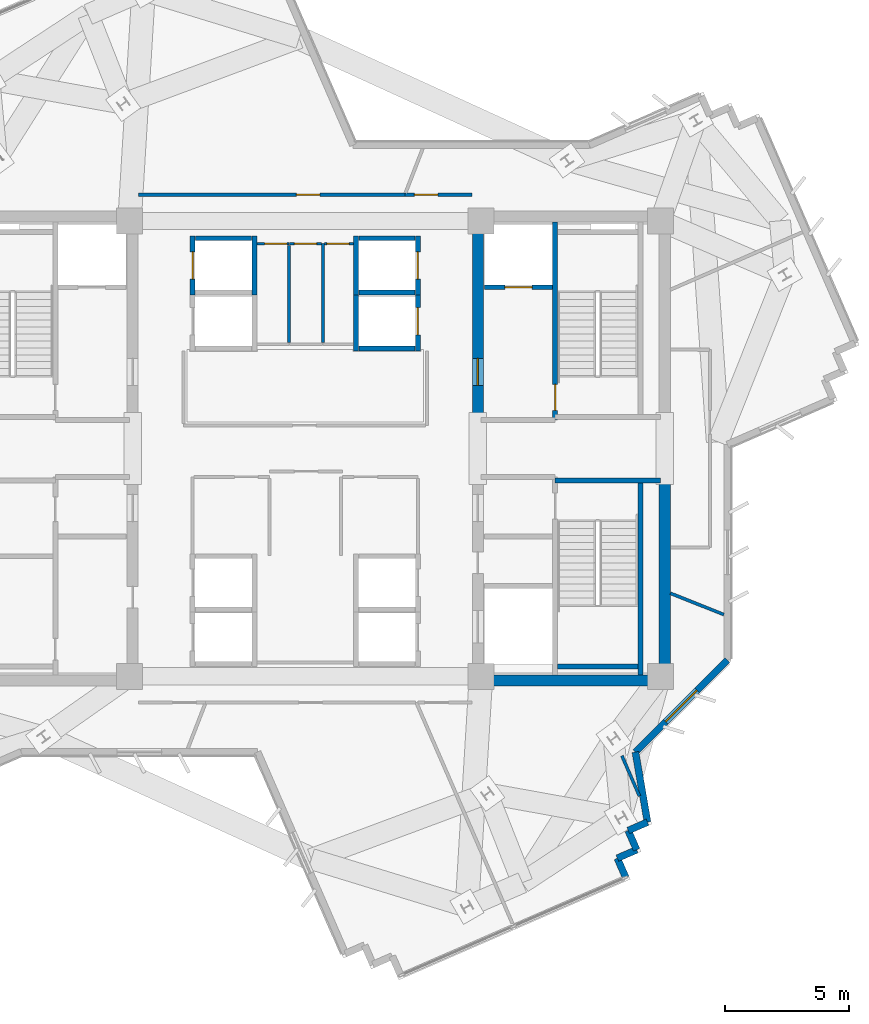
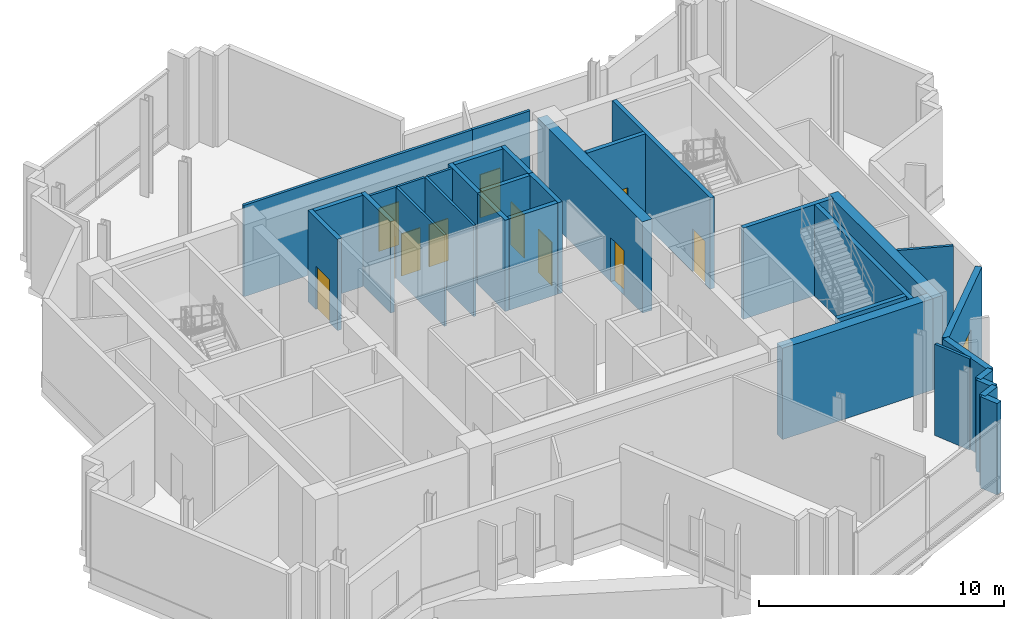
# One storey, part 7 of 11: 33 walls, 11 doors, 1 window, 12 openings.
"""IFC4 building model written with IfcOpenShell, lengths in metres."""

from ifc_helpers import new_model, si_unit, direction, frame, frame_2d, origin, place, context, subcontext, project, spatial, rectangle, extrude, source, transform, mapped, material, layer, layer_set, type_object, element, fill, save


model = new_model("IFC4")

# Units and contexts
model_context = context("Model", 3, precision=1e-05, world=origin(), true_north=direction((0.0, 1.0)))
body_context = subcontext(model_context, "Body", "Model", "MODEL_VIEW")
ifc_project = project(units=[si_unit("LENGTHUNIT", "METRE"), si_unit("AREAUNIT", "SQUARE_METRE"), si_unit("VOLUMEUNIT", "CUBIC_METRE"), si_unit("PLANEANGLEUNIT", "RADIAN"), si_unit("MASSUNIT", "GRAM", prefix="KILO")], contexts=[model_context])

# Site, building, storey
site_placement = place(None, origin())
site = spatial("IfcSite", under=ifc_project, at=site_placement, CompositionType="ELEMENT")
building_placement = place(site_placement, origin())
building = spatial("IfcBuilding", under=site, at=building_placement, Name="Zahravan Cultural Tower", CompositionType="ELEMENT")
storey_placement = place(building_placement, frame((0.0, 0.0, 234.300048828125)))
storey = spatial("IfcBuildingStorey", under=building, at=storey_placement, Name="L55", CompositionType="ELEMENT", Elevation=234.300048828125)

# Wall, opening, door
ifc_material_1 = material(Name="Concrete C50/60", Category="concrete")
ifc_layer_1 = layer(ifc_material_1, 0.449951171875)
ifc_layer_set_1 = layer_set([ifc_layer_1], Name="Concrete C50/60")
wall_type_1 = type_object("IfcWallType", Name="CW-SHEAR-450-C50", PredefinedType="SHEAR", material=ifc_layer_set_1)
wall_1_placement = place(storey_placement, frame((42.97509765625, 28.050048828125, 0.0), z_axis=(0.0, 0.0, 1.0), x_axis=(0.0, 1.0, 0.0)))
wall_1 = element("IfcWall", 1, at=wall_1_placement, inside=storey, type_object=wall_type_1, Name="L55 Core Shear Wall CW-E-WN-L55", PredefinedType="SHEAR", context=body_context, shape_type="SweptSolid", body=[
    extrude(rectangle(XDim=8.550048828125, YDim=0.449951171875, at=frame_2d((4.27490234375, 0.0))), origin(), (0.0, 0.0, 1.0), 4.550048828125),
])
opening_1_placement = place(wall_1_placement, frame((1.5, 0.0, 0.0)))
opening_1 = element("IfcOpeningElement", 2, at=opening_1_placement, cuts=wall_1, Name="Opening D-L55-07", PredefinedType="OPENING", context=body_context, shape_type="SweptSolid", body=[
    extrude(rectangle(XDim=1.10009765625, YDim=2.199951171875, at=frame_2d((0.550048828125, 1.10009765625))), frame((0.0, 0.23486328125, 0.0), z_axis=(0.0, -1.0, 0.0), x_axis=(1.0, 0.0, 0.0)), (0.0, 0.0, 1.0), 0.469970703125),
])
ifc_material_2 = material(Name="Steel ASTM A572 Grade 50", Category="steel")
door_type_1 = type_object("IfcDoorType", Name="DR-LOBBY-1100", OperationType="NOTDEFINED", PredefinedType="DOOR", material=ifc_material_2)
shared_shape_1 = source(origin(), body_context, "Body", "SweptSolid", [
    extrude(rectangle(XDim=1.10009765625, YDim=2.199951171875, at=frame_2d((0.550048828125, 1.10009765625))), frame((0.0, 0.02490234375, 0.0), z_axis=(0.0, -1.0, 0.0), x_axis=(1.0, 0.0, 0.0)), (0.0, 0.0, 1.0), 0.050048828125),
])
door_1_placement = place(opening_1_placement, origin())
door_1 = element("IfcDoor", 3, at=door_1_placement, inside=storey, type_object=door_type_1, Name="L55 Door D-L55-07", OperationType="SINGLE_SWING_LEFT", OverallHeight=2.199951171875, OverallWidth=1.10009765625, PredefinedType="DOOR", context=body_context, shape_type="MappedRepresentation", body=[
    mapped(shared_shape_1, transform((0.0, 0.0, 0.0), x_axis=(1.0, 0.0, 0.0), y_axis=(0.0, 1.0, 0.0), z_axis=(0.0, 0.0, 1.0), scale=1.0)),
])
fill(opening_1, door_1)

# Wall, opening, window
ifc_material_3 = material(Name="Precast concrete C40/50", Category="concrete")
ifc_layer_2 = layer(ifc_material_3, 0.280029296875)
ifc_layer_set_2 = layer_set([ifc_layer_2], Name="Precast concrete C40/50")
wall_type_2 = type_object("IfcWallType", Name="EW-TC-280", PredefinedType="SOLIDWALL", material=ifc_layer_set_2)
wall_2_placement = place(storey_placement, frame((53.06005859375, 18.4580078125, 0.0), z_axis=(0.0, 0.0, 1.0), x_axis=(-0.707106781187, -0.707106781187, 0.0)))
wall_2 = element("IfcWall", 4, at=wall_2_placement, inside=storey, type_object=wall_type_2, Name="L55 Exterior Masonry Frame Wall 13", PredefinedType="SOLIDWALL", context=body_context, shape_type="SweptSolid", body=[
    extrude(rectangle(XDim=5.258056640625, YDim=0.280029296875, at=frame_2d((2.62890625, 0.0))), origin(), (0.0, 0.0, 1.0), 4.550048828125),
])
opening_2_placement = place(wall_2_placement, frame((1.72900390625, 0.0, 0.85009765625)))
opening_2 = element("IfcOpeningElement", 5, at=opening_2_placement, cuts=wall_2, Name="Opening WN-02", PredefinedType="OPENING", context=body_context, shape_type="SweptSolid", body=[
    extrude(rectangle(XDim=1.800048828125, YDim=1.75, at=frame_2d((0.89990234375, 0.875))), frame((0.0, 0.14990234375, 0.0), z_axis=(0.0, -1.0, 0.0), x_axis=(1.0, 0.0, 0.0)), (0.0, 0.0, 1.0), 0.300048828125),
])
ifc_material_4 = material(Name="Low-E solar-control double glazing", Category="glass")
window_type = type_object("IfcWindowType", Name="WN-REC-1800X1750", PartitioningType="DOUBLE_PANEL_VERTICAL", PredefinedType="WINDOW", material=ifc_material_4)
shared_shape_2 = source(origin(), body_context, "Body", "SweptSolid", [
    extrude(rectangle(XDim=1.800048828125, YDim=1.75, at=frame_2d((0.89990234375, 0.875))), frame((0.0, 0.030029296875, 0.0), z_axis=(0.0, -1.0, 0.0), x_axis=(1.0, 0.0, 0.0)), (0.0, 0.0, 1.0), 0.06005859375),
])
window_placement = place(opening_2_placement, origin())
window = element("IfcWindow", 6, at=window_placement, inside=storey, type_object=window_type, Name="L55 Recessed Solar Window 04", OverallHeight=1.75, OverallWidth=1.800048828125, PartitioningType="DOUBLE_PANEL_VERTICAL", PredefinedType="WINDOW", context=body_context, shape_type="MappedRepresentation", body=[
    mapped(shared_shape_2, transform((0.0, 0.0, 0.0), x_axis=(1.0, 0.0, 0.0), y_axis=(0.0, 1.0, 0.0), z_axis=(0.0, 0.0, 1.0), scale=1.0)),
])
fill(opening_2, window)

# Wall, opening, door
ifc_material_5 = material(Name="Gypsum plasterboard partition")
ifc_layer_3 = layer(ifc_material_5, 0.125)
ifc_layer_set_3 = layer_set([ifc_layer_3], Name="Gypsum plasterboard partition")
wall_type_3 = type_object("IfcWallType", Name="W-PART-125", PredefinedType="PARTITIONING", material=ifc_layer_set_3)
wall_3_placement = place(storey_placement, frame((42.74658203125, 37.2587890625, 0.0), z_axis=(0.0, 0.0, 1.0), x_axis=(-0.999999899509, 0.000448309827, 0.0)))
wall_3 = element("IfcWall", 7, at=wall_3_placement, inside=storey, type_object=wall_type_3, Name="L55 Interior Wall 084", PredefinedType="PARTITIONING", context=body_context, shape_type="SweptSolid", body=[
    extrude(rectangle(XDim=2.722900390625, YDim=0.125, at=frame_2d((1.361328125, 0.0))), origin(), (0.0, 0.0, 1.0), 4.550048828125),
])
opening_3_placement = place(wall_3_placement, frame((1.383056640625, 0.0, 0.0)))
opening_3 = element("IfcOpeningElement", 8, at=opening_3_placement, cuts=wall_3, Name="Opening D-L55-20", PredefinedType="OPENING", context=body_context, shape_type="SweptSolid", body=[
    extrude(rectangle(XDim=0.949951171875, YDim=2.14990234375, at=frame_2d((0.47509765625, 1.074951171875))), frame((0.0, 0.072509765625, 0.0), z_axis=(0.0, -1.0, 0.0), x_axis=(1.0, 0.0, 0.0)), (0.0, 0.0, 1.0), 0.14501953125),
])
ifc_material_6 = material(Name="Anodised bronze-aluminium mullion", Category="aluminium")
door_type_2 = type_object("IfcDoorType", Name="DR-ROOM-950", OperationType="NOTDEFINED", PredefinedType="DOOR", material=ifc_material_6)
shared_shape_3 = source(origin(), body_context, "Body", "SweptSolid", [
    extrude(rectangle(XDim=0.949951171875, YDim=2.14990234375, at=frame_2d((0.47509765625, 1.074951171875))), frame((0.0, 0.02490234375, 0.0), z_axis=(0.0, -1.0, 0.0), x_axis=(1.0, 0.0, 0.0)), (0.0, 0.0, 1.0), 0.050048828125),
])
door_2_placement = place(opening_3_placement, origin())
door_2 = element("IfcDoor", 9, at=door_2_placement, inside=storey, type_object=door_type_2, Name="L55 Door D-L55-20", OperationType="SINGLE_SWING_RIGHT", OverallHeight=2.14990234375, OverallWidth=0.949951171875, PredefinedType="DOOR", context=body_context, shape_type="MappedRepresentation", body=[
    mapped(shared_shape_3, transform((0.0, 0.0, 0.0), x_axis=(1.0, 0.0, 0.0), y_axis=(0.0, 1.0, 0.0), z_axis=(0.0, 0.0, 1.0), scale=1.0)),
])
fill(opening_3, door_2)

wall_4_placement = place(storey_placement, frame((40.023681640625, 37.260009765625, 0.0), z_axis=(0.0, 0.0, 1.0), x_axis=(-0.999999998972, -4.5337081e-05, 0.0)))
wall_4 = element("IfcWall", 10, at=wall_4_placement, inside=storey, type_object=wall_type_3, Name="L55 Interior Wall 093", PredefinedType="PARTITIONING", context=body_context, shape_type="SweptSolid", body=[
    extrude(rectangle(XDim=10.77001953125, YDim=0.125, at=frame_2d((5.385009765625, 0.0))), origin(), (0.0, 0.0, 1.0), 4.550048828125),
])
opening_4_placement = place(wall_4_placement, frame((3.43701171875, 0.0, 0.0)))
opening_4 = element("IfcOpeningElement", 11, at=opening_4_placement, cuts=wall_4, Name="Opening D-L55-23", PredefinedType="OPENING", context=body_context, shape_type="SweptSolid", body=[
    extrude(rectangle(XDim=0.949951171875, YDim=2.14990234375, at=frame_2d((0.47509765625, 1.074951171875))), frame((0.0, 0.072509765625, 0.0), z_axis=(0.0, -1.0, 0.0), x_axis=(1.0, 0.0, 0.0)), (0.0, 0.0, 1.0), 0.14501953125),
])
door_3_placement = place(opening_4_placement, origin())
door_3 = element("IfcDoor", 12, at=door_3_placement, inside=storey, type_object=door_type_2, Name="L55 Door D-L55-23", OperationType="SINGLE_SWING_LEFT", OverallHeight=2.14990234375, OverallWidth=0.949951171875, PredefinedType="DOOR", context=body_context, shape_type="MappedRepresentation", body=[
    mapped(shared_shape_3, transform((0.0, 0.0, 0.0), x_axis=(1.0, 0.0, 0.0), y_axis=(0.0, 1.0, 0.0), z_axis=(0.0, 0.0, 1.0), scale=1.0)),
])
fill(opening_4, door_3)

ifc_material_7 = material(Name="Concrete C45/55", Category="concrete")
ifc_layer_4 = layer(ifc_material_7, 0.199951171875)
ifc_layer_set_4 = layer_set([ifc_layer_4], Name="Concrete C45/55")
wall_type_4 = type_object("IfcWallType", Name="W-SHAFT-200", PredefinedType="SOLIDWALL", material=ifc_layer_set_4)
wall_5_placement = place(storey_placement, frame((46.10009765625, 28.14990234375, 0.0), z_axis=(0.0, 0.0, 1.0), x_axis=(0.0, 1.0, 0.0)))
wall_5 = element("IfcWall", 13, at=wall_5_placement, inside=storey, type_object=wall_type_4, Name="L55 Interior Wall 008", PredefinedType="SOLIDWALL", context=body_context, shape_type="SweptSolid", body=[
    extrude(rectangle(XDim=8.0, YDim=0.199951171875, at=frame_2d((4.0, 0.0))), origin(), (0.0, 0.0, 1.0), 4.550048828125),
])
opening_5_placement = place(wall_5_placement, frame((0.39990234375, 0.0, 0.0)))
opening_5 = element("IfcOpeningElement", 14, at=opening_5_placement, cuts=wall_5, Name="Opening D-L55-02", PredefinedType="OPENING", context=body_context, shape_type="SweptSolid", body=[
    extrude(rectangle(XDim=1.050048828125, YDim=2.14990234375, at=frame_2d((0.52490234375, 1.074951171875))), frame((0.0, 0.10986328125, 0.0), z_axis=(0.0, -1.0, 0.0), x_axis=(1.0, 0.0, 0.0)), (0.0, 0.0, 1.0), 0.219970703125),
])
door_type_3 = type_object("IfcDoorType", Name="DR-STAIR-1050", OperationType="NOTDEFINED", PredefinedType="DOOR", material=ifc_material_2)
shared_shape_4 = source(origin(), body_context, "Body", "SweptSolid", [
    extrude(rectangle(XDim=1.050048828125, YDim=2.14990234375, at=frame_2d((0.52490234375, 1.074951171875))), frame((0.0, 0.02490234375, 0.0), z_axis=(0.0, -1.0, 0.0), x_axis=(1.0, 0.0, 0.0)), (0.0, 0.0, 1.0), 0.050048828125),
])
door_4_placement = place(opening_5_placement, origin())
door_4 = element("IfcDoor", 15, at=door_4_placement, inside=storey, type_object=door_type_3, Name="L55 Door D-L55-02", OperationType="SINGLE_SWING_RIGHT", OverallHeight=2.14990234375, OverallWidth=1.050048828125, PredefinedType="DOOR", context=body_context, shape_type="MappedRepresentation", body=[
    mapped(shared_shape_4, transform((0.0, 0.0, 0.0), x_axis=(1.0, 0.0, 0.0), y_axis=(0.0, 1.0, 0.0), z_axis=(0.0, 0.0, 1.0), scale=1.0)),
])
fill(opening_5, door_4)

wall_6_placement = place(storey_placement, frame((43.25, 33.52001953125, 0.0), z_axis=(0.0, 0.0, 1.0), x_axis=(1.0, 0.0, 0.0)))
wall_6 = element("IfcWall", 16, at=wall_6_placement, inside=storey, type_object=wall_type_4, Name="L55 Interior Wall 023", PredefinedType="SOLIDWALL", context=body_context, shape_type="SweptSolid", body=[
    extrude(rectangle(XDim=2.75, YDim=0.199951171875, at=frame_2d((1.375, 0.0))), origin(), (0.0, 0.0, 1.0), 4.550048828125),
])
opening_6_placement = place(wall_6_placement, frame((0.820068359375, 0.0, 0.0)))
opening_6 = element("IfcOpeningElement", 17, at=opening_6_placement, cuts=wall_6, Name="Opening LD-L55-02", PredefinedType="OPENING", context=body_context, shape_type="SweptSolid", body=[
    extrude(rectangle(XDim=1.10009765625, YDim=2.14990234375, at=frame_2d((0.550048828125, 1.074951171875))), frame((0.0, 0.10986328125, 0.0), z_axis=(0.0, -1.0, 0.0), x_axis=(1.0, 0.0, 0.0)), (0.0, 0.0, 1.0), 0.219970703125),
])
door_type_4 = type_object("IfcDoorType", Name="DR-LIFT-1100", OperationType="DOUBLE_DOOR_SLIDING", PredefinedType="DOOR", material=ifc_material_2)
shared_shape_5 = source(origin(), body_context, "Body", "SweptSolid", [
    extrude(rectangle(XDim=1.10009765625, YDim=2.14990234375, at=frame_2d((0.550048828125, 1.074951171875))), frame((0.0, 0.02490234375, 0.0), z_axis=(0.0, -1.0, 0.0), x_axis=(1.0, 0.0, 0.0)), (0.0, 0.0, 1.0), 0.050048828125),
])
door_5_placement = place(opening_6_placement, origin())
door_5 = element("IfcDoor", 18, at=door_5_placement, inside=storey, type_object=door_type_4, Name="L55 Door LD-L55-02", OperationType="DOUBLE_DOOR_SLIDING", OverallHeight=2.14990234375, OverallWidth=1.10009765625, PredefinedType="DOOR", context=body_context, shape_type="MappedRepresentation", body=[
    mapped(shared_shape_5, transform((0.0, 0.0, 0.0), x_axis=(1.0, 0.0, 0.0), y_axis=(0.0, 1.0, 0.0), z_axis=(0.0, 0.0, 1.0), scale=1.0)),
])
fill(opening_6, door_5)

wall_7_placement = place(storey_placement, frame((31.449951171875, 33.199951171875, 0.0), z_axis=(0.0, 0.0, 1.0), x_axis=(0.0, 1.0, 0.0)))
wall_7 = element("IfcWall", 19, at=wall_7_placement, inside=storey, type_object=wall_type_4, Name="L55 Interior Wall 027", PredefinedType="SOLIDWALL", context=body_context, shape_type="SweptSolid", body=[
    extrude(rectangle(XDim=2.400146484375, YDim=0.199951171875, at=frame_2d((1.2001953125, 0.0))), origin(), (0.0, 0.0, 1.0), 4.550048828125),
])
opening_7_placement = place(wall_7_placement, frame((0.64990234375, 0.0, 0.0)))
opening_7 = element("IfcOpeningElement", 20, at=opening_7_placement, cuts=wall_7, Name="Opening LD-L55-04", PredefinedType="OPENING", context=body_context, shape_type="SweptSolid", body=[
    extrude(rectangle(XDim=1.10009765625, YDim=2.14990234375, at=frame_2d((0.550048828125, 1.074951171875))), frame((0.0, 0.10986328125, 0.0), z_axis=(0.0, -1.0, 0.0), x_axis=(1.0, 0.0, 0.0)), (0.0, 0.0, 1.0), 0.219970703125),
])
door_6_placement = place(opening_7_placement, origin())
door_6 = element("IfcDoor", 21, at=door_6_placement, inside=storey, type_object=door_type_4, Name="L55 Door LD-L55-04", OperationType="DOUBLE_DOOR_SLIDING", OverallHeight=2.14990234375, OverallWidth=1.10009765625, PredefinedType="DOOR", context=body_context, shape_type="MappedRepresentation", body=[
    mapped(shared_shape_5, transform((0.0, 0.0, 0.0), x_axis=(1.0, 0.0, 0.0), y_axis=(0.0, 1.0, 0.0), z_axis=(0.0, 0.0, 1.0), scale=1.0)),
])
fill(opening_7, door_6)

wall_8_placement = place(storey_placement, frame((40.550048828125, 33.199951171875, 0.0), z_axis=(0.0, 0.0, 1.0), x_axis=(0.0, 1.0, 0.0)))
wall_8 = element("IfcWall", 22, at=wall_8_placement, inside=storey, type_object=wall_type_4, Name="L55 Interior Wall 035", PredefinedType="SOLIDWALL", context=body_context, shape_type="SweptSolid", body=[
    extrude(rectangle(XDim=2.400146484375, YDim=0.199951171875, at=frame_2d((1.2001953125, 0.0))), origin(), (0.0, 0.0, 1.0), 4.550048828125),
])
opening_8_placement = place(wall_8_placement, frame((0.64990234375, 0.0, 0.0)))
opening_8 = element("IfcOpeningElement", 23, at=opening_8_placement, cuts=wall_8, Name="Opening LD-L55-06", PredefinedType="OPENING", context=body_context, shape_type="SweptSolid", body=[
    extrude(rectangle(XDim=1.10009765625, YDim=2.14990234375, at=frame_2d((0.550048828125, 1.074951171875))), frame((0.0, 0.10986328125, 0.0), z_axis=(0.0, -1.0, 0.0), x_axis=(1.0, 0.0, 0.0)), (0.0, 0.0, 1.0), 0.219970703125),
])
door_7_placement = place(opening_8_placement, origin())
door_7 = element("IfcDoor", 24, at=door_7_placement, inside=storey, type_object=door_type_4, Name="L55 Door LD-L55-06", OperationType="DOUBLE_DOOR_SLIDING", OverallHeight=2.14990234375, OverallWidth=1.10009765625, PredefinedType="DOOR", context=body_context, shape_type="MappedRepresentation", body=[
    mapped(shared_shape_5, transform((0.0, 0.0, 0.0), x_axis=(1.0, 0.0, 0.0), y_axis=(0.0, 1.0, 0.0), z_axis=(0.0, 0.0, 1.0), scale=1.0)),
])
fill(opening_8, door_7)

wall_9_placement = place(storey_placement, frame((40.550048828125, 30.949951171875, 0.0), z_axis=(0.0, 0.0, 1.0), x_axis=(0.0, 1.0, 0.0)))
wall_9 = element("IfcWall", 25, at=wall_9_placement, inside=storey, type_object=wall_type_4, Name="L55 Interior Wall 039", PredefinedType="SOLIDWALL", context=body_context, shape_type="SweptSolid", body=[
    extrude(rectangle(XDim=2.400146484375, YDim=0.199951171875, at=frame_2d((1.2001953125, 0.0))), origin(), (0.0, 0.0, 1.0), 4.550048828125),
])
opening_9_placement = place(wall_9_placement, frame((0.64990234375, 0.0, 0.0)))
opening_9 = element("IfcOpeningElement", 26, at=opening_9_placement, cuts=wall_9, Name="Opening LD-L55-07", PredefinedType="OPENING", context=body_context, shape_type="SweptSolid", body=[
    extrude(rectangle(XDim=1.10009765625, YDim=2.14990234375, at=frame_2d((0.550048828125, 1.074951171875))), frame((0.0, 0.10986328125, 0.0), z_axis=(0.0, -1.0, 0.0), x_axis=(1.0, 0.0, 0.0)), (0.0, 0.0, 1.0), 0.219970703125),
])
door_8_placement = place(opening_9_placement, origin())
door_8 = element("IfcDoor", 27, at=door_8_placement, inside=storey, type_object=door_type_4, Name="L55 Door LD-L55-07", OperationType="DOUBLE_DOOR_SLIDING", OverallHeight=2.14990234375, OverallWidth=1.10009765625, PredefinedType="DOOR", context=body_context, shape_type="MappedRepresentation", body=[
    mapped(shared_shape_5, transform((0.0, 0.0, 0.0), x_axis=(1.0, 0.0, 0.0), y_axis=(0.0, 1.0, 0.0), z_axis=(0.0, 0.0, 1.0), scale=1.0)),
])
fill(opening_9, door_8)

ifc_layer_5 = layer(ifc_material_5, 0.114990234375)
ifc_layer_set_5 = layer_set([ifc_layer_5], Name="Gypsum plasterboard partition")
wall_type_5 = type_object("IfcWallType", Name="W-WC-115", PredefinedType="PARTITIONING", material=ifc_layer_set_5)
wall_10_placement = place(storey_placement, frame((36.782470703125, 35.280029296875, 0.0), z_axis=(0.0, 0.0, 1.0), x_axis=(1.0, 0.0, 0.0)))
wall_10 = element("IfcWall", 28, at=wall_10_placement, inside=storey, type_object=wall_type_5, Name="L55 Interior Wall 057", PredefinedType="PARTITIONING", context=body_context, shape_type="SweptSolid", body=[
    extrude(rectangle(XDim=1.16259765625, YDim=0.114990234375, at=frame_2d((0.581298828125, 0.0))), origin(), (0.0, 0.0, 1.0), 4.550048828125),
])
opening_10_placement = place(wall_10_placement, frame((0.0888671875, 0.0, 0.0)))
opening_10 = element("IfcOpeningElement", 29, at=opening_10_placement, cuts=wall_10, Name="Opening D-L55-16", PredefinedType="OPENING", context=body_context, shape_type="SweptSolid", body=[
    extrude(rectangle(XDim=0.89990234375, YDim=2.10009765625, at=frame_2d((0.449951171875, 1.050048828125))), frame((0.0, 0.0673828125, 0.0), z_axis=(0.0, -1.0, 0.0), x_axis=(1.0, 0.0, 0.0)), (0.0, 0.0, 1.0), 0.135009765625),
])
door_type_5 = type_object("IfcDoorType", Name="DR-WC-900", OperationType="NOTDEFINED", PredefinedType="DOOR", material=ifc_material_6)
shared_shape_6 = source(origin(), body_context, "Body", "SweptSolid", [
    extrude(rectangle(XDim=0.89990234375, YDim=2.10009765625, at=frame_2d((0.449951171875, 1.050048828125))), frame((0.0, 0.02490234375, 0.0), z_axis=(0.0, -1.0, 0.0), x_axis=(1.0, 0.0, 0.0)), (0.0, 0.0, 1.0), 0.050048828125),
])
door_9_placement = place(opening_10_placement, origin())
door_9 = element("IfcDoor", 30, at=door_9_placement, inside=storey, type_object=door_type_5, Name="L55 Door D-L55-16", OperationType="SINGLE_SWING_RIGHT", OverallHeight=2.10009765625, OverallWidth=0.89990234375, PredefinedType="DOOR", context=body_context, shape_type="MappedRepresentation", body=[
    mapped(shared_shape_6, transform((0.0, 0.0, 0.0), x_axis=(1.0, 0.0, 0.0), y_axis=(0.0, 1.0, 0.0), z_axis=(0.0, 0.0, 1.0), scale=1.0)),
])
fill(opening_10, door_9)

wall_11_placement = place(storey_placement, frame((34.054931640625, 35.280029296875, 0.0), z_axis=(0.0, 0.0, 1.0), x_axis=(1.0, 0.0, 0.0)))
wall_11 = element("IfcWall", 31, at=wall_11_placement, inside=storey, type_object=wall_type_5, Name="L55 Interior Wall 059", PredefinedType="PARTITIONING", context=body_context, shape_type="SweptSolid", body=[
    extrude(rectangle(XDim=1.28515625, YDim=0.114990234375, at=frame_2d((0.642578125, 0.0))), origin(), (0.0, 0.0, 1.0), 4.550048828125),
])
opening_11_placement = place(wall_11_placement, frame((0.30029296875, 0.0, 0.0)))
opening_11 = element("IfcOpeningElement", 32, at=opening_11_placement, cuts=wall_11, Name="Opening D-L55-14", PredefinedType="OPENING", context=body_context, shape_type="SweptSolid", body=[
    extrude(rectangle(XDim=0.89990234375, YDim=2.10009765625, at=frame_2d((0.449951171875, 1.050048828125))), frame((0.0, 0.0673828125, 0.0), z_axis=(0.0, -1.0, 0.0), x_axis=(1.0, 0.0, 0.0)), (0.0, 0.0, 1.0), 0.135009765625),
])
door_10_placement = place(opening_11_placement, origin())
door_10 = element("IfcDoor", 33, at=door_10_placement, inside=storey, type_object=door_type_5, Name="L55 Door D-L55-14", OperationType="SINGLE_SWING_RIGHT", OverallHeight=2.10009765625, OverallWidth=0.89990234375, PredefinedType="DOOR", context=body_context, shape_type="MappedRepresentation", body=[
    mapped(shared_shape_6, transform((0.0, 0.0, 0.0), x_axis=(1.0, 0.0, 0.0), y_axis=(0.0, 1.0, 0.0), z_axis=(0.0, 0.0, 1.0), scale=1.0)),
])
fill(opening_11, door_10)

wall_12_placement = place(storey_placement, frame((35.360107421875, 35.280029296875, 0.0), z_axis=(0.0, 0.0, 1.0), x_axis=(1.0, 0.0, 0.0)))
wall_12 = element("IfcWall", 34, at=wall_12_placement, inside=storey, type_object=wall_type_5, Name="L55 Interior Wall 062", PredefinedType="PARTITIONING", context=body_context, shape_type="SweptSolid", body=[
    extrude(rectangle(XDim=1.29736328125, YDim=0.114990234375, at=frame_2d((0.648681640625, 0.0))), origin(), (0.0, 0.0, 1.0), 4.550048828125),
])
opening_12_placement = place(wall_12_placement, frame((0.19873046875, 0.0, 0.0)))
opening_12 = element("IfcOpeningElement", 35, at=opening_12_placement, cuts=wall_12, Name="Opening D-L55-15", PredefinedType="OPENING", context=body_context, shape_type="SweptSolid", body=[
    extrude(rectangle(XDim=0.89990234375, YDim=2.10009765625, at=frame_2d((0.449951171875, 1.050048828125))), frame((0.0, 0.0673828125, 0.0), z_axis=(0.0, -1.0, 0.0), x_axis=(1.0, 0.0, 0.0)), (0.0, 0.0, 1.0), 0.135009765625),
])
door_11_placement = place(opening_12_placement, origin())
door_11 = element("IfcDoor", 36, at=door_11_placement, inside=storey, type_object=door_type_5, Name="L55 Door D-L55-15", OperationType="SINGLE_SWING_LEFT", OverallHeight=2.10009765625, OverallWidth=0.89990234375, PredefinedType="DOOR", context=body_context, shape_type="MappedRepresentation", body=[
    mapped(shared_shape_6, transform((0.0, 0.0, 0.0), x_axis=(1.0, 0.0, 0.0), y_axis=(0.0, 1.0, 0.0), z_axis=(0.0, 0.0, 1.0), scale=1.0)),
])
fill(opening_12, door_11)

# Walls
shared_shape_7 = source(origin(), body_context, "Body", "SweptSolid", [
    extrude(rectangle(XDim=8.550048828125, YDim=0.449951171875, at=frame_2d((4.27490234375, 0.0))), origin(), (0.0, 0.0, 1.0), 4.550048828125),
])
wall_13_placement = place(storey_placement, frame((50.52490234375, 17.39990234375, 0.0), z_axis=(0.0, 0.0, 1.0), x_axis=(0.0, 1.0, 0.0)))
element("IfcWall", 37, at=wall_13_placement, inside=storey, type_object=wall_type_1, Name="L55 Core Shear Wall CW-E-ES-L55", PredefinedType="SHEAR", context=body_context, shape_type="MappedRepresentation", body=[
    mapped(shared_shape_7, transform((0.0, 0.0, 0.0), x_axis=(1.0, 0.0, 0.0), y_axis=(0.0, 1.0, 0.0), z_axis=(0.0, 0.0, 1.0), scale=1.0)),
])
shared_shape_8 = source(origin(), body_context, "Body", "SweptSolid", [
    extrude(rectangle(XDim=7.10009765625, YDim=0.449951171875, at=frame_2d((3.550048828125, 0.0))), origin(), (0.0, 0.0, 1.0), 4.550048828125),
])
wall_14_placement = place(storey_placement, frame((43.199951171875, 17.625, 0.0), z_axis=(0.0, 0.0, 1.0), x_axis=(1.0, 0.0, 0.0)))
element("IfcWall", 38, at=wall_14_placement, inside=storey, type_object=wall_type_1, Name="L55 Core Shear Wall CW-E-S-L55", PredefinedType="SHEAR", context=body_context, shape_type="MappedRepresentation", body=[
    mapped(shared_shape_8, transform((0.0, 0.0, 0.0), x_axis=(1.0, 0.0, 0.0), y_axis=(0.0, 1.0, 0.0), z_axis=(0.0, 0.0, 1.0), scale=1.0)),
])
shared_shape_9 = source(origin(), body_context, "Body", "SweptSolid", [
    extrude(rectangle(XDim=0.85009765625, YDim=0.280029296875, at=frame_2d((0.425048828125, 0.0))), origin(), (0.0, 0.0, 1.0), 4.550048828125),
])
for number, where, z_axis, x_axis, name in (
    (39, (49.831787109375, 11.905517578125, 0.0), (0.0, 0.0, 1.0), (-0.916841582309, -0.399251190291, 0.0), "L55 Exterior Masonry Frame Wall 15"),
    (40, (48.6123046875, 10.44775390625, 0.0), (0.0, 0.0, 1.0), (0.398904626351, -0.916992420403, 0.0), "L55 Exterior Masonry Frame Wall 18"),
):
    element("IfcWall", number, at=place(storey_placement, frame(where, z_axis=z_axis, x_axis=x_axis)), inside=storey, type_object=wall_type_2, Name=name, PredefinedType="SOLIDWALL", context=body_context, shape_type="MappedRepresentation", body=[
        mapped(shared_shape_9, transform((0.0, 0.0, 0.0), x_axis=(1.0, 0.0, 0.0), y_axis=(0.0, 1.0, 0.0), z_axis=(0.0, 0.0, 1.0), scale=1.0)),
    ])
shared_shape_10 = source(origin(), body_context, "Body", "SweptSolid", [
    extrude(rectangle(XDim=0.849853515625, YDim=0.280029296875, at=frame_2d((0.4248046875, 0.0))), origin(), (0.0, 0.0, 1.0), 4.550048828125),
])
for number, where, z_axis, x_axis, name in (
    (41, (49.052490234375, 11.566162109375, 0.0), (0.0, 0.0, 1.0), (0.399009702756, -0.916946703526, 0.0), "L55 Exterior Masonry Frame Wall 16"),
    (42, (49.3916015625, 10.786865234375, 0.0), (0.0, 0.0, 1.0), (-0.916946703526, -0.399009702756, 0.0), "L55 Exterior Masonry Frame Wall 17"),
):
    element("IfcWall", number, at=place(storey_placement, frame(where, z_axis=z_axis, x_axis=x_axis)), inside=storey, type_object=wall_type_2, Name=name, PredefinedType="SOLIDWALL", context=body_context, shape_type="MappedRepresentation", body=[
        mapped(shared_shape_10, transform((0.0, 0.0, 0.0), x_axis=(1.0, 0.0, 0.0), y_axis=(0.0, 1.0, 0.0), z_axis=(0.0, 0.0, 1.0), scale=1.0)),
    ])
shared_shape_11 = source(origin(), body_context, "Body", "SweptSolid", [
    extrude(rectangle(XDim=2.87646484375, YDim=0.280029296875, at=frame_2d((1.438232421875, 0.0))), origin(), (0.0, 0.0, 1.0), 4.550048828125),
])
wall_15_placement = place(storey_placement, frame((49.342041015625, 14.739990234375, 0.0), z_axis=(0.0, 0.0, 1.0), x_axis=(0.170259342901, -0.985399287677, 0.0)))
element("IfcWall", 43, at=wall_15_placement, inside=storey, type_object=wall_type_2, Name="L55 Exterior Masonry Frame Wall 14", PredefinedType="SOLIDWALL", context=body_context, shape_type="MappedRepresentation", body=[
    mapped(shared_shape_11, transform((0.0, 0.0, 0.0), x_axis=(1.0, 0.0, 0.0), y_axis=(0.0, 1.0, 0.0), z_axis=(0.0, 0.0, 1.0), scale=1.0)),
])
shared_shape_12 = source(origin(), body_context, "Body", "SweptSolid", [
    extrude(rectangle(XDim=7.869873046875, YDim=0.199951171875, at=frame_2d((3.93505859375, 0.0))), origin(), (0.0, 0.0, 1.0), 4.550048828125),
])
wall_16_placement = place(storey_placement, frame((49.550048828125, 17.85009765625, 0.0), z_axis=(0.0, 0.0, 1.0), x_axis=(0.0, 1.0, 0.0)))
element("IfcWall", 44, at=wall_16_placement, inside=storey, type_object=wall_type_4, Name="L55 Interior Wall 003", PredefinedType="SOLIDWALL", context=body_context, shape_type="MappedRepresentation", body=[
    mapped(shared_shape_12, transform((0.0, 0.0, 0.0), x_axis=(1.0, 0.0, 0.0), y_axis=(0.0, 1.0, 0.0), z_axis=(0.0, 0.0, 1.0), scale=1.0)),
])
shared_shape_13 = source(origin(), body_context, "Body", "SweptSolid", [
    extrude(rectangle(XDim=4.25, YDim=0.199951171875, at=frame_2d((2.125, 0.0))), origin(), (0.0, 0.0, 1.0), 4.550048828125),
])
wall_17_placement = place(storey_placement, frame((46.10009765625, 25.715087890625, 0.0), z_axis=(0.0, 0.0, 1.0), x_axis=(1.0, 0.0, 0.0)))
element("IfcWall", 45, at=wall_17_placement, inside=storey, type_object=wall_type_4, Name="L55 Interior Wall 014", PredefinedType="SOLIDWALL", context=body_context, shape_type="MappedRepresentation", body=[
    mapped(shared_shape_13, transform((0.0, 0.0, 0.0), x_axis=(1.0, 0.0, 0.0), y_axis=(0.0, 1.0, 0.0), z_axis=(0.0, 0.0, 1.0), scale=1.0)),
])
shared_shape_14 = source(origin(), body_context, "Body", "SweptSolid", [
    extrude(rectangle(XDim=3.25, YDim=0.199951171875, at=frame_2d((1.625, 0.0))), origin(), (0.0, 0.0, 1.0), 4.550048828125),
])
wall_18_placement = place(storey_placement, frame((46.199951171875, 18.199951171875, 0.0), z_axis=(0.0, 0.0, 1.0), x_axis=(1.0, 0.0, 0.0)))
element("IfcWall", 46, at=wall_18_placement, inside=storey, type_object=wall_type_4, Name="L55 Interior Wall 020", PredefinedType="SOLIDWALL", context=body_context, shape_type="MappedRepresentation", body=[
    mapped(shared_shape_14, transform((0.0, 0.0, 0.0), x_axis=(1.0, 0.0, 0.0), y_axis=(0.0, 1.0, 0.0), z_axis=(0.0, 0.0, 1.0), scale=1.0)),
])
shared_shape_15 = source(origin(), body_context, "Body", "SweptSolid", [
    extrude(rectangle(XDim=2.400146484375, YDim=0.199951171875, at=frame_2d((1.2001953125, 0.0))), origin(), (0.0, 0.0, 1.0), 4.550048828125),
])
for number, where, z_axis, x_axis, name in (
    (47, (33.949951171875, 33.199951171875, 0.0), (0.0, 0.0, 1.0), (0.0, 1.0, 0.0), "L55 Interior Wall 028"),
    (48, (38.050048828125, 33.199951171875, 0.0), (0.0, 0.0, 1.0), (0.0, 1.0, 0.0), "L55 Interior Wall 034"),
    (49, (38.050048828125, 30.949951171875, 0.0), (0.0, 0.0, 1.0), (0.0, 1.0, 0.0), "L55 Interior Wall 038"),
):
    element("IfcWall", number, at=place(storey_placement, frame(where, z_axis=z_axis, x_axis=x_axis)), inside=storey, type_object=wall_type_4, Name=name, PredefinedType="SOLIDWALL", context=body_context, shape_type="MappedRepresentation", body=[
        mapped(shared_shape_15, transform((0.0, 0.0, 0.0), x_axis=(1.0, 0.0, 0.0), y_axis=(0.0, 1.0, 0.0), z_axis=(0.0, 0.0, 1.0), scale=1.0)),
    ])
shared_shape_16 = source(origin(), body_context, "Body", "SweptSolid", [
    extrude(rectangle(XDim=2.260009765625, YDim=0.199951171875, at=frame_2d((1.1298828125, 0.0))), origin(), (0.0, 0.0, 1.0), 4.550048828125),
])
for number, where, z_axis, x_axis, name in (
    (50, (31.570068359375, 35.5, 0.0), (0.0, 0.0, 1.0), (1.0, 0.0, 0.0), "L55 Interior Wall 030"),
    (51, (38.169921875, 33.300048828125, 0.0), (0.0, 0.0, 1.0), (1.0, 0.0, 0.0), "L55 Interior Wall 036"),
    (52, (38.169921875, 35.5, 0.0), (0.0, 0.0, 1.0), (1.0, 0.0, 0.0), "L55 Interior Wall 037"),
    (53, (38.169921875, 31.050048828125, 0.0), (0.0, 0.0, 1.0), (1.0, 0.0, 0.0), "L55 Interior Wall 040"),
):
    element("IfcWall", number, at=place(storey_placement, frame(where, z_axis=z_axis, x_axis=x_axis)), inside=storey, type_object=wall_type_4, Name=name, PredefinedType="SOLIDWALL", context=body_context, shape_type="MappedRepresentation", body=[
        mapped(shared_shape_16, transform((0.0, 0.0, 0.0), x_axis=(1.0, 0.0, 0.0), y_axis=(0.0, 1.0, 0.0), z_axis=(0.0, 0.0, 1.0), scale=1.0)),
    ])
shared_shape_17 = source(origin(), body_context, "Body", "SweptSolid", [
    extrude(rectangle(XDim=3.99755859375, YDim=0.114990234375, at=frame_2d((1.998779296875, 0.0))), origin(), (0.0, 0.0, 1.0), 4.550048828125),
])
wall_19_placement = place(storey_placement, frame((36.719970703125, 31.282470703125, 0.0), z_axis=(0.0, 0.0, 1.0), x_axis=(0.0, 1.0, 0.0)))
element("IfcWall", 54, at=wall_19_placement, inside=storey, type_object=wall_type_5, Name="L55 Interior Wall 056", PredefinedType="PARTITIONING", context=body_context, shape_type="MappedRepresentation", body=[
    mapped(shared_shape_17, transform((0.0, 0.0, 0.0), x_axis=(1.0, 0.0, 0.0), y_axis=(0.0, 1.0, 0.0), z_axis=(0.0, 0.0, 1.0), scale=1.0)),
])
shared_shape_18 = source(origin(), body_context, "Body", "SweptSolid", [
    extrude(rectangle(XDim=3.93505859375, YDim=0.114990234375, at=frame_2d((1.967529296875, 0.0))), origin(), (0.0, 0.0, 1.0), 4.550048828125),
])
wall_20_placement = place(storey_placement, frame((35.340087890625, 35.217529296875, 0.0), z_axis=(0.0, 0.0, 1.0), x_axis=(0.0, -1.0, 0.0)))
element("IfcWall", 55, at=wall_20_placement, inside=storey, type_object=wall_type_5, Name="L55 Interior Wall 060", PredefinedType="PARTITIONING", context=body_context, shape_type="MappedRepresentation", body=[
    mapped(shared_shape_18, transform((0.0, 0.0, 0.0), x_axis=(1.0, 0.0, 0.0), y_axis=(0.0, 1.0, 0.0), z_axis=(0.0, 0.0, 1.0), scale=1.0)),
])
shared_shape_19 = source(origin(), body_context, "Body", "SweptSolid", [
    extrude(rectangle(XDim=2.32568359375, YDim=0.125, at=frame_2d((1.162841796875, 0.0))), origin(), (0.0, 0.0, 1.0), 4.550048828125),
])
wall_21_placement = place(storey_placement, frame((52.9150390625, 20.2919921875, 0.0), z_axis=(0.0, 0.0, 1.0), x_axis=(-0.928809338362, 0.370557975183, 0.0)))
element("IfcWall", 56, at=wall_21_placement, inside=storey, type_object=wall_type_3, Name="L55 Interior Wall 078", PredefinedType="PARTITIONING", context=body_context, shape_type="MappedRepresentation", body=[
    mapped(shared_shape_19, transform((0.0, 0.0, 0.0), x_axis=(1.0, 0.0, 0.0), y_axis=(0.0, 1.0, 0.0), z_axis=(0.0, 0.0, 1.0), scale=1.0)),
])
shared_shape_20 = source(origin(), body_context, "Body", "SweptSolid", [
    extrude(rectangle(XDim=1.7734375, YDim=0.125, at=frame_2d((0.88671875, 0.0))), origin(), (0.0, 0.0, 1.0), 4.550048828125),
])
wall_22_placement = place(storey_placement, frame((48.7958984375, 14.58642578125, 0.0), z_axis=(0.0, 0.0, 1.0), x_axis=(0.399113704868, -0.916901439952, 0.0)))
element("IfcWall", 57, at=wall_22_placement, inside=storey, type_object=wall_type_3, Name="L55 Interior Wall 090", PredefinedType="PARTITIONING", context=body_context, shape_type="MappedRepresentation", body=[
    mapped(shared_shape_20, transform((0.0, 0.0, 0.0), x_axis=(1.0, 0.0, 0.0), y_axis=(0.0, 1.0, 0.0), z_axis=(0.0, 0.0, 1.0), scale=1.0)),
])

save(model, "model.ifc")
